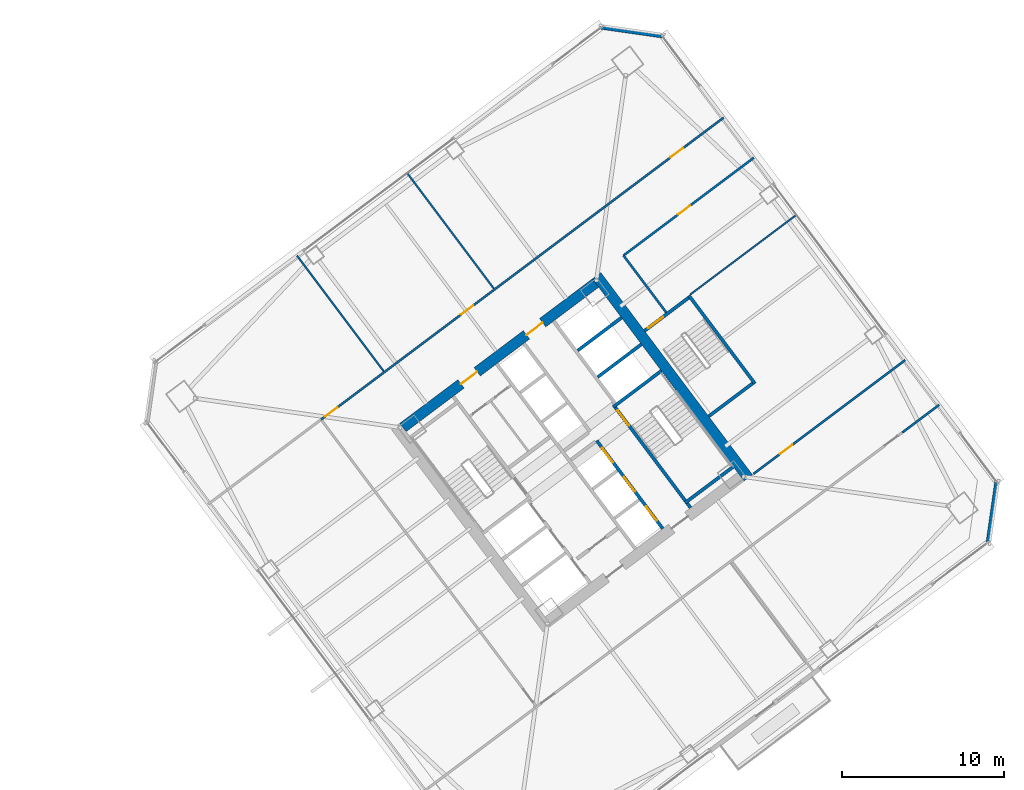
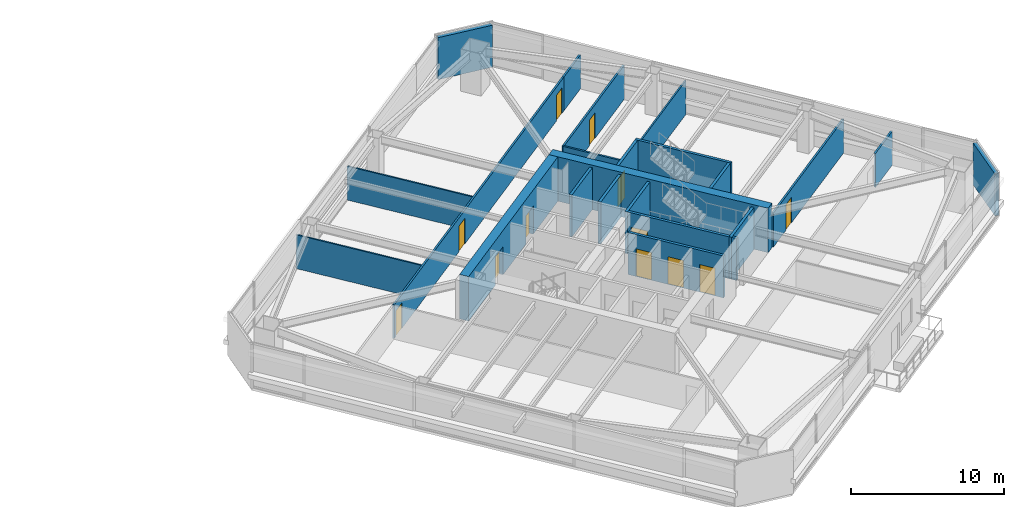
# One storey, part 39 of 47: 22 walls, 12 doors, 12 openings.
"""IFC4 building model written with IfcOpenShell, lengths in metres."""

from ifc_helpers import new_model, si_unit, direction, frame, frame_2d, origin, place, context, subcontext, project, spatial, rectangle, extrude, material, layer, layer_set, type_object, element, fill, save


model = new_model("IFC4")

# Units and contexts
model_context = context("Model", 3, precision=1e-05, world=origin(), true_north=direction((0.0, 1.0)))
body_context = subcontext(model_context, "Body", "Model", "MODEL_VIEW")
ifc_project = project(units=[si_unit("LENGTHUNIT", "METRE"), si_unit("AREAUNIT", "SQUARE_METRE"), si_unit("VOLUMEUNIT", "CUBIC_METRE"), si_unit("PLANEANGLEUNIT", "RADIAN"), si_unit("MASSUNIT", "GRAM", prefix="KILO")], contexts=[model_context])

# Site, building, storey
site_placement = place(None, origin())
site = spatial("IfcSite", under=ifc_project, at=site_placement, CompositionType="ELEMENT")
building_placement = place(site_placement, origin())
building = spatial("IfcBuilding", under=site, at=building_placement, Name="Tashvorn Skyway Center", CompositionType="ELEMENT")
storey_placement = place(building_placement, frame((0.0, 0.0, 81.39990234375)))
storey = spatial("IfcBuildingStorey", under=building, at=storey_placement, Name="L21", CompositionType="ELEMENT", Elevation=81.39990234375)

# Wall
ifc_material_1 = material(Name="Concrete C60/75", Category="concrete")
ifc_layer_1 = layer(ifc_material_1, 0.64990234375)
ifc_layer_set_1 = layer_set([ifc_layer_1], Name="Concrete C60/75")
wall_type_1 = type_object("IfcWallType", Name="WALL-CORE-650", PredefinedType="SHEAR", material=ifc_layer_set_1)
wall_1_placement = place(storey_placement, frame((115.52392578125, 42.89306640625, 0.0), z_axis=(0.0, 0.0, 1.0), x_axis=(0.600005007985, -0.799996243986, 0.0)))
element("IfcWall", 1, at=wall_1_placement, inside=storey, type_object=wall_type_1, Name="Tower 2 L21 East Core Shear Wall", PredefinedType="SHEAR", context=body_context, shape_type="SweptSolid", body=[
    extrude(rectangle(XDim=15.60009765625, YDim=0.64990234375, at=frame_2d((7.800048828125, 0.0))), origin(), (0.0, 0.0, 1.0), 3.550048828125),
])

# Wall, openings, doors
wall_2_placement = place(storey_placement, frame((103.571044921875, 33.52197265625, 0.0), z_axis=(0.0, 0.0, 1.0), x_axis=(0.799998028465, 0.600002628705, 0.0)))
wall_2 = element("IfcWall", 2, at=wall_2_placement, inside=storey, type_object=wall_type_1, Name="Tower 2 L21 North Core Shear Wall", PredefinedType="SHEAR", context=body_context, shape_type="SweptSolid", body=[
    extrude(rectangle(XDim=14.85986328125, YDim=0.64990234375, at=frame_2d((7.429931640625, 0.0))), origin(), (0.0, 0.0, 1.0), 3.550048828125),
])
opening_1_placement = place(wall_2_placement, frame((4.47998046875, 0.0, 0.0)))
opening_1 = element("IfcOpeningElement", 3, at=opening_1_placement, cuts=wall_2, Name="Opening D-FFL-1250", PredefinedType="OPENING", context=body_context, shape_type="SweptSolid", body=[
    extrude(rectangle(XDim=1.25, YDim=2.25, at=frame_2d((0.625, 1.125))), frame((0.0, 0.3349609375, 0.0), z_axis=(0.0, -1.0, 0.0), x_axis=(1.0, 0.0, 0.0)), (0.0, 0.0, 1.0), 0.669921875),
])
opening_2_placement = place(wall_2_placement, frame((9.530029296875, 0.0, 0.0)))
opening_2 = element("IfcOpeningElement", 4, at=opening_2_placement, cuts=wall_2, Name="Opening D-FFL-1250", PredefinedType="OPENING", context=body_context, shape_type="SweptSolid", body=[
    extrude(rectangle(XDim=1.25, YDim=2.25, at=frame_2d((0.625, 1.125))), frame((0.0, 0.3349609375, 0.0), z_axis=(0.0, -1.0, 0.0), x_axis=(1.0, 0.0, 0.0)), (0.0, 0.0, 1.0), 0.669921875),
])
ifc_material_2 = material(Name="Hollow galvanized steel fire door assembly", Category="steel")
door_type_1 = type_object("IfcDoorType", Name="DOOR-FFL-1250", OperationType="NOTDEFINED", PredefinedType="DOOR", material=ifc_material_2)
door_1_placement = place(opening_1_placement, origin())
door_1 = element("IfcDoor", 5, at=door_1_placement, inside=storey, type_object=door_type_1, Name="Tower 2 L21 Core North Service Lobby Door", OperationType="SINGLE_SWING_LEFT", OverallHeight=2.25, OverallWidth=1.25, PredefinedType="DOOR", context=body_context, shape_type="SweptSolid", body=[
    extrude(rectangle(XDim=1.25, YDim=2.25, at=frame_2d((0.625, 1.125))), frame((0.0, 0.02490234375, 0.0), z_axis=(0.0, -1.0, 0.0), x_axis=(1.0, 0.0, 0.0)), (0.0, 0.0, 1.0), 0.050048828125),
])
fill(opening_1, door_1)
door_2_placement = place(opening_2_placement, origin())
door_2 = element("IfcDoor", 6, at=door_2_placement, inside=storey, type_object=door_type_1, Name="Tower 2 L21 Core North Lift Lobby Door", OperationType="SINGLE_SWING_RIGHT", OverallHeight=2.25, OverallWidth=1.25, PredefinedType="DOOR", context=body_context, shape_type="SweptSolid", body=[
    extrude(rectangle(XDim=1.25, YDim=2.25, at=frame_2d((0.625, 1.125))), frame((0.0, 0.02490234375, 0.0), z_axis=(0.0, -1.0, 0.0), x_axis=(1.0, 0.0, 0.0)), (0.0, 0.0, 1.0), 0.050048828125),
])
fill(opening_2, door_2)

# Walls
ifc_material_3 = material(Name="Precast concrete C40/50", Category="concrete")
ifc_layer_2 = layer(ifc_material_3, 0.280029296875)
ifc_layer_set_2 = layer_set([ifc_layer_2], Name="Precast concrete C40/50")
wall_type_2 = type_object("IfcWallType", Name="WALL-EXT-280", PredefinedType="SOLIDWALL", material=ifc_layer_set_2)
for number, where, z_axis, x_axis, name in (
    (7, (115.820068359375, 58.239990234375, 0.0), (0.0, 0.0, 1.0), (0.989948214866, -0.141430307517, 0.0), "Tower 2 L21 NE Precast Chamfer Wall"),
    (8, (140.239990234375, 30.179931640625, 0.0), (0.0, 0.0, 1.0), (-0.141430307517, -0.989948214866, 0.0), "Tower 2 L21 SE Precast Chamfer Wall"),
):
    element("IfcWall", number, at=place(storey_placement, frame(where, z_axis=z_axis, x_axis=x_axis)), inside=storey, type_object=wall_type_2, Name=name, PredefinedType="SOLIDWALL", context=body_context, shape_type="SweptSolid", body=[
        extrude(rectangle(XDim=3.818359375, YDim=0.280029296875, at=frame_2d((1.9091796875, 0.0))), origin(), (0.0, 0.0, 1.0), 3.35009765625),
    ])
ifc_material_4 = material(Name="Gypsum board on cold-formed steel stud framing", Category="steel")
ifc_layer_3 = layer(ifc_material_4, 0.110107421875)
ifc_layer_set_3 = layer_set([ifc_layer_3], Name="Gypsum board on cold-formed steel stud framing")
wall_type_3 = type_object("IfcWallType", Name="WALL-PART-110", PredefinedType="PARTITIONING", material=ifc_layer_set_3)
for number, where, z_axis, x_axis, name in (
    (9, (102.3720703125, 37.00390625, 0.0), (0.0, 0.0, 1.0), (-0.6, 0.8, 0.0), "Tower 2 L21 North Suite Partition 1"),
    (10, (109.172119140625, 42.10400390625, 0.0), (0.0, 0.0, 1.0), (-0.6, 0.8, 0.0), "Tower 2 L21 North Suite Partition 2"),
):
    element("IfcWall", number, at=place(storey_placement, frame(where, z_axis=z_axis, x_axis=x_axis)), inside=storey, type_object=wall_type_3, Name=name, PredefinedType="PARTITIONING", context=body_context, shape_type="SweptSolid", body=[
        extrude(rectangle(XDim=8.900146484375, YDim=0.110107421875, at=frame_2d((4.4501953125, 0.0))), origin(), (0.0, 0.0, 1.0), 2.703125),
    ])
wall_3_placement = place(storey_placement, frame((127.864013671875, 46.64794921875, 0.0), z_axis=(0.0, 0.0, 1.0), x_axis=(-0.800007145523, -0.599990472518, 0.0)))
element("IfcWall", 11, at=wall_3_placement, inside=storey, type_object=wall_type_3, Name="Tower 2 L21 East Suite Partition 1", PredefinedType="PARTITIONING", context=body_context, shape_type="SweptSolid", body=[
    extrude(rectangle(XDim=8.199951171875, YDim=0.110107421875, at=frame_2d((4.10009765625, 0.0))), origin(), (0.0, 0.0, 1.0), 2.703125),
])
ifc_layer_4 = layer(ifc_material_4, 0.135009765625)
ifc_layer_set_4 = layer_set([ifc_layer_4], Name="Gypsum board on cold-formed steel stud framing")
wall_type_4 = type_object("IfcWallType", Name="WALL-PART-135", PredefinedType="PARTITIONING", material=ifc_layer_set_4)
wall_4_placement = place(storey_placement, frame((119.823974609375, 40.617919921875, 0.0), z_axis=(0.0, 0.0, 1.0), x_axis=(-0.599982243973, 0.800013316712, 0.0)))
element("IfcWall", 12, at=wall_4_placement, inside=storey, type_object=wall_type_4, Name="Tower 2 L21 Stair 3 Access Corridor Wall", PredefinedType="PARTITIONING", context=body_context, shape_type="SweptSolid", body=[
    extrude(rectangle(XDim=4.39990234375, YDim=0.135009765625, at=frame_2d((2.199951171875, 0.0))), origin(), (0.0, 0.0, 1.0), 2.703125),
])

# Wall, openings, doors
wall_5_placement = place(storey_placement, frame((98.51611328125, 34.011962890625, 0.0), z_axis=(0.0, 0.0, 1.0), x_axis=(0.8, 0.6, 0.0)))
wall_5 = element("IfcWall", 13, at=wall_5_placement, inside=storey, type_object=wall_type_4, Name="Tower 2 L21 North Suite Wall", PredefinedType="PARTITIONING", context=body_context, shape_type="SweptSolid", body=[
    extrude(rectangle(XDim=28.22998046875, YDim=0.135009765625, at=frame_2d((14.114990234375, 0.0))), origin(), (0.0, 0.0, 1.0), 2.703125),
])
opening_3_placement = place(wall_5_placement, frame((0.300048828125, 0.0, 0.0)))
opening_3 = element("IfcOpeningElement", 14, at=opening_3_placement, cuts=wall_5, Name="Opening D-INT-950", PredefinedType="OPENING", context=body_context, shape_type="SweptSolid", body=[
    extrude(rectangle(XDim=0.949951171875, YDim=2.050048828125, at=frame_2d((0.47509765625, 1.02490234375))), frame((0.0, 0.077392578125, 0.0), z_axis=(0.0, -1.0, 0.0), x_axis=(1.0, 0.0, 0.0)), (0.0, 0.0, 1.0), 0.155029296875),
])
opening_4_placement = place(wall_5_placement, frame((10.79248046875, 0.0, 0.0)))
opening_4 = element("IfcOpeningElement", 15, at=opening_4_placement, cuts=wall_5, Name="Opening D-INT-950", PredefinedType="OPENING", context=body_context, shape_type="SweptSolid", body=[
    extrude(rectangle(XDim=0.949951171875, YDim=2.050048828125, at=frame_2d((0.47509765625, 1.02490234375))), frame((0.0, 0.077392578125, 0.0), z_axis=(0.0, -1.0, 0.0), x_axis=(1.0, 0.0, 0.0)), (0.0, 0.0, 1.0), 0.155029296875),
])
opening_5_placement = place(wall_5_placement, frame((26.97998046875, 0.0, 0.0)))
opening_5 = element("IfcOpeningElement", 16, at=opening_5_placement, cuts=wall_5, Name="Opening D-INT-950", PredefinedType="OPENING", context=body_context, shape_type="SweptSolid", body=[
    extrude(rectangle(XDim=0.949951171875, YDim=2.050048828125, at=frame_2d((0.47509765625, 1.02490234375))), frame((0.0, 0.077392578125, 0.0), z_axis=(0.0, -1.0, 0.0), x_axis=(1.0, 0.0, 0.0)), (0.0, 0.0, 1.0), 0.155029296875),
])
ifc_material_5 = material(Name="Solid-core architectural oak veneer door")
door_type_2 = type_object("IfcDoorType", Name="DOOR-INT-950", OperationType="NOTDEFINED", PredefinedType="DOOR", material=ifc_material_5)
door_3_placement = place(opening_3_placement, origin())
door_3 = element("IfcDoor", 17, at=door_3_placement, inside=storey, type_object=door_type_2, Name="Tower 2 L21 Executive Study Lounge Door", OperationType="SINGLE_SWING_LEFT", OverallHeight=2.050048828125, OverallWidth=0.949951171875, PredefinedType="DOOR", context=body_context, shape_type="SweptSolid", body=[
    extrude(rectangle(XDim=0.949951171875, YDim=2.050048828125, at=frame_2d((0.47509765625, 1.02490234375))), frame((0.0, 0.02490234375, 0.0), z_axis=(0.0, -1.0, 0.0), x_axis=(1.0, 0.0, 0.0)), (0.0, 0.0, 1.0), 0.050048828125),
])
fill(opening_3, door_3)
door_4_placement = place(opening_4_placement, origin())
door_4 = element("IfcDoor", 18, at=door_4_placement, inside=storey, type_object=door_type_2, Name="Tower 2 L21 Executive Study Lounge Door", OperationType="SINGLE_SWING_RIGHT", OverallHeight=2.050048828125, OverallWidth=0.949951171875, PredefinedType="DOOR", context=body_context, shape_type="SweptSolid", body=[
    extrude(rectangle(XDim=0.949951171875, YDim=2.050048828125, at=frame_2d((0.47509765625, 1.02490234375))), frame((0.0, 0.02490234375, 0.0), z_axis=(0.0, -1.0, 0.0), x_axis=(1.0, 0.0, 0.0)), (0.0, 0.0, 1.0), 0.050048828125),
])
fill(opening_4, door_4)
door_5_placement = place(opening_5_placement, origin())
door_5 = element("IfcDoor", 19, at=door_5_placement, inside=storey, type_object=door_type_2, Name="Tower 2 L21 Reading Lounge Door", OperationType="SINGLE_SWING_LEFT", OverallHeight=2.050048828125, OverallWidth=0.949951171875, PredefinedType="DOOR", context=body_context, shape_type="SweptSolid", body=[
    extrude(rectangle(XDim=0.949951171875, YDim=2.050048828125, at=frame_2d((0.47509765625, 1.02490234375))), frame((0.0, 0.02490234375, 0.0), z_axis=(0.0, -1.0, 0.0), x_axis=(1.0, 0.0, 0.0)), (0.0, 0.0, 1.0), 0.050048828125),
])
fill(opening_5, door_5)

# Walls
for number, where, z_axis, x_axis, name in (
    (20, (121.10009765625, 50.949951171875, 0.0), (0.0, 0.0, 1.0), (0.799989647378, 0.600013803248, 0.0), "Tower 2 L21 North-East Suite South Wall"),
    (21, (134.402099609375, 33.214111328125, 0.0), (0.0, 0.0, 1.0), (0.799989647378, 0.600013803248, 0.0), "Tower 2 L21 South-East Suite North Wall"),
):
    element("IfcWall", number, at=place(storey_placement, frame(where, z_axis=z_axis, x_axis=x_axis)), inside=storey, type_object=wall_type_4, Name=name, PredefinedType="PARTITIONING", context=body_context, shape_type="SweptSolid", body=[
        extrude(rectangle(XDim=2.829833984375, YDim=0.135009765625, at=frame_2d((1.4150390625, 0.0))), origin(), (0.0, 0.0, 1.0), 2.703125),
    ])

# Wall, opening, door
wall_6_placement = place(storey_placement, frame((125.22412109375, 50.16796875, 0.0), z_axis=(0.0, 0.0, 1.0), x_axis=(-0.8, -0.6, 0.0)))
wall_6 = element("IfcWall", 22, at=wall_6_placement, inside=storey, type_object=wall_type_4, Name="Tower 2 L21 East Suite North Wall", PredefinedType="PARTITIONING", context=body_context, shape_type="SweptSolid", body=[
    extrude(rectangle(XDim=10.050048828125, YDim=0.135009765625, at=frame_2d((5.02490234375, 0.0))), origin(), (0.0, 0.0, 1.0), 2.703125),
])
opening_6_placement = place(wall_6_placement, frame((4.89990234375, 0.0, 0.0)))
opening_6 = element("IfcOpeningElement", 23, at=opening_6_placement, cuts=wall_6, Name="Opening D-INT-950", PredefinedType="OPENING", context=body_context, shape_type="SweptSolid", body=[
    extrude(rectangle(XDim=0.949951171875, YDim=2.050048828125, at=frame_2d((0.47509765625, 1.02490234375))), frame((0.0, 0.077392578125, 0.0), z_axis=(0.0, -1.0, 0.0), x_axis=(1.0, 0.0, 0.0)), (0.0, 0.0, 1.0), 0.155029296875),
])
door_6_placement = place(opening_6_placement, origin())
door_6 = element("IfcDoor", 24, at=door_6_placement, inside=storey, type_object=door_type_2, Name="Tower 2 L21 Open Plan Office Door", OperationType="SINGLE_SWING_RIGHT", OverallHeight=2.050048828125, OverallWidth=0.949951171875, PredefinedType="DOOR", context=body_context, shape_type="SweptSolid", body=[
    extrude(rectangle(XDim=0.949951171875, YDim=2.050048828125, at=frame_2d((0.47509765625, 1.02490234375))), frame((0.0, 0.02490234375, 0.0), z_axis=(0.0, -1.0, 0.0), x_axis=(1.0, 0.0, 0.0)), (0.0, 0.0, 1.0), 0.050048828125),
])
fill(opening_6, door_6)

wall_7_placement = place(storey_placement, frame((125.2080078125, 30.656005859375, 0.0), z_axis=(0.0, 0.0, 1.0), x_axis=(0.8, 0.6, 0.0)))
wall_7 = element("IfcWall", 25, at=wall_7_placement, inside=storey, type_object=wall_type_4, Name="Tower 2 L21 East Suite South Wall", PredefinedType="PARTITIONING", context=body_context, shape_type="SweptSolid", body=[
    extrude(rectangle(XDim=11.719970703125, YDim=0.135009765625, at=frame_2d((5.85986328125, 0.0))), origin(), (0.0, 0.0, 1.0), 2.703125),
])
opening_7_placement = place(wall_7_placement, frame((2.044921875, 0.0, 0.0)))
opening_7 = element("IfcOpeningElement", 26, at=opening_7_placement, cuts=wall_7, Name="Opening D-INT-950", PredefinedType="OPENING", context=body_context, shape_type="SweptSolid", body=[
    extrude(rectangle(XDim=0.949951171875, YDim=2.050048828125, at=frame_2d((0.47509765625, 1.02490234375))), frame((0.0, 0.077392578125, 0.0), z_axis=(0.0, -1.0, 0.0), x_axis=(1.0, 0.0, 0.0)), (0.0, 0.0, 1.0), 0.155029296875),
])
door_7_placement = place(opening_7_placement, origin())
door_7 = element("IfcDoor", 27, at=door_7_placement, inside=storey, type_object=door_type_2, Name="Tower 2 L21 Public Restroom Door", OperationType="SINGLE_SWING_LEFT", OverallHeight=2.050048828125, OverallWidth=0.949951171875, PredefinedType="DOOR", context=body_context, shape_type="SweptSolid", body=[
    extrude(rectangle(XDim=0.949951171875, YDim=2.050048828125, at=frame_2d((0.47509765625, 1.02490234375))), frame((0.0, 0.02490234375, 0.0), z_axis=(0.0, -1.0, 0.0), x_axis=(1.0, 0.0, 0.0)), (0.0, 0.0, 1.0), 0.050048828125),
])
fill(opening_7, door_7)

# Walls
ifc_material_6 = material(Name="Concrete C40/50", Category="concrete")
ifc_layer_5 = layer(ifc_material_6, 0.199951171875)
ifc_layer_set_5 = layer_set([ifc_layer_5], Name="Concrete C40/50")
wall_type_5 = type_object("IfcWallType", Name="WALL-SHAFT-200", PredefinedType="SOLIDWALL", material=ifc_layer_set_5)
for number, where, z_axis, x_axis, name in (
    (28, (115.590087890625, 36.6298828125, 0.0), (0.0, 0.0, 1.0), (0.799973995579, 0.600034670996, 0.0), "Tower 2 L21 High-Rise Shaft Divider"),
    (29, (114.360107421875, 38.27001953125, 0.0), (0.0, 0.0, 1.0), (0.799973995579, 0.600034670996, 0.0), "Tower 2 L21 High-Rise Shaft Divider"),
):
    element("IfcWall", number, at=place(storey_placement, frame(where, z_axis=z_axis, x_axis=x_axis)), inside=storey, type_object=wall_type_5, Name=name, PredefinedType="SOLIDWALL", context=body_context, shape_type="SweptSolid", body=[
        extrude(rectangle(XDim=3.3798828125, YDim=0.199951171875, at=frame_2d((1.68994140625, 0.0))), origin(), (0.0, 0.0, 1.0), 3.35009765625),
    ])

# Wall, openings, doors
wall_8_placement = place(storey_placement, frame((119.610107421875, 27.27001953125, 0.0), z_axis=(0.0, 0.0, 1.0), x_axis=(-0.600011488909, 0.79999138319, 0.0)))
wall_8 = element("IfcWall", 30, at=wall_8_placement, inside=storey, type_object=wall_type_5, Name="Tower 2 L21 Low-Rise Core Wall", PredefinedType="SOLIDWALL", context=body_context, shape_type="SweptSolid", body=[
    extrude(rectangle(XDim=6.800048828125, YDim=0.199951171875, at=frame_2d((3.39990234375, 0.0))), origin(), (0.0, 0.0, 1.0), 3.35009765625),
])
opening_8_placement = place(wall_8_placement, frame((0.625, 0.0, 0.0)))
opening_8 = element("IfcOpeningElement", 31, at=opening_8_placement, cuts=wall_8, Name="Opening LD-LR-T2-1-L21", PredefinedType="OPENING", context=body_context, shape_type="SweptSolid", body=[
    extrude(rectangle(XDim=1.10009765625, YDim=2.199951171875, at=frame_2d((0.550048828125, 1.10009765625))), frame((0.0, 0.10986328125, 0.0), z_axis=(0.0, -1.0, 0.0), x_axis=(1.0, 0.0, 0.0)), (0.0, 0.0, 1.0), 0.219970703125),
])
opening_9_placement = place(wall_8_placement, frame((2.875, 0.0, 0.0)))
opening_9 = element("IfcOpeningElement", 32, at=opening_9_placement, cuts=wall_8, Name="Opening LD-LR-T2-2-L21", PredefinedType="OPENING", context=body_context, shape_type="SweptSolid", body=[
    extrude(rectangle(XDim=1.10009765625, YDim=2.199951171875, at=frame_2d((0.550048828125, 1.10009765625))), frame((0.0, 0.10986328125, 0.0), z_axis=(0.0, -1.0, 0.0), x_axis=(1.0, 0.0, 0.0)), (0.0, 0.0, 1.0), 0.219970703125),
])
opening_10_placement = place(wall_8_placement, frame((5.125, 0.0, 0.0)))
opening_10 = element("IfcOpeningElement", 33, at=opening_10_placement, cuts=wall_8, Name="Opening LD-LR-T2-3-L21", PredefinedType="OPENING", context=body_context, shape_type="SweptSolid", body=[
    extrude(rectangle(XDim=1.10009765625, YDim=2.199951171875, at=frame_2d((0.550048828125, 1.10009765625))), frame((0.0, 0.10986328125, 0.0), z_axis=(0.0, -1.0, 0.0), x_axis=(1.0, 0.0, 0.0)), (0.0, 0.0, 1.0), 0.219970703125),
])
ifc_material_7 = material(Name="Stainless steel landing door", Category="steel")
door_type_3 = type_object("IfcDoorType", Name="DOOR-LIFT-1100", OperationType="SLIDING_TO_LEFT", PredefinedType="DOOR", material=ifc_material_7)
door_8_placement = place(opening_8_placement, origin())
door_8 = element("IfcDoor", 34, at=door_8_placement, inside=storey, type_object=door_type_3, Name="Lift LR-T2-1 L21 Landing Door", OperationType="SLIDING_TO_LEFT", OverallHeight=2.199951171875, OverallWidth=1.10009765625, PredefinedType="DOOR", context=body_context, shape_type="SweptSolid", body=[
    extrude(rectangle(XDim=1.10009765625, YDim=2.199951171875, at=frame_2d((0.550048828125, 1.10009765625))), frame((0.0, 0.02490234375, 0.0), z_axis=(0.0, -1.0, 0.0), x_axis=(1.0, 0.0, 0.0)), (0.0, 0.0, 1.0), 0.050048828125),
])
fill(opening_8, door_8)
door_9_placement = place(opening_9_placement, origin())
door_9 = element("IfcDoor", 35, at=door_9_placement, inside=storey, type_object=door_type_3, Name="Lift LR-T2-2 L21 Landing Door", OperationType="SLIDING_TO_LEFT", OverallHeight=2.199951171875, OverallWidth=1.10009765625, PredefinedType="DOOR", context=body_context, shape_type="SweptSolid", body=[
    extrude(rectangle(XDim=1.10009765625, YDim=2.199951171875, at=frame_2d((0.550048828125, 1.10009765625))), frame((0.0, 0.02490234375, 0.0), z_axis=(0.0, -1.0, 0.0), x_axis=(1.0, 0.0, 0.0)), (0.0, 0.0, 1.0), 0.050048828125),
])
fill(opening_9, door_9)
door_10_placement = place(opening_10_placement, origin())
door_10 = element("IfcDoor", 36, at=door_10_placement, inside=storey, type_object=door_type_3, Name="Lift LR-T2-3 L21 Landing Door", OperationType="SLIDING_TO_LEFT", OverallHeight=2.199951171875, OverallWidth=1.10009765625, PredefinedType="DOOR", context=body_context, shape_type="SweptSolid", body=[
    extrude(rectangle(XDim=1.10009765625, YDim=2.199951171875, at=frame_2d((0.550048828125, 1.10009765625))), frame((0.0, 0.02490234375, 0.0), z_axis=(0.0, -1.0, 0.0), x_axis=(1.0, 0.0, 0.0)), (0.0, 0.0, 1.0), 0.050048828125),
])
fill(opening_10, door_10)

# Wall, opening, door
ifc_layer_6 = layer(ifc_material_6, 0.199951171875)
ifc_layer_set_6 = layer_set([ifc_layer_6], Name="Concrete C40/50")
wall_type_6 = type_object("IfcWallType", Name="WALL-STSHF-200", PredefinedType="SHEAR", material=ifc_layer_set_6)
wall_9_placement = place(storey_placement, frame((116.56005859375, 34.919921875, 0.0), z_axis=(0.0, 0.0, 1.0), x_axis=(0.600009827119, -0.799992629566, 0.0)))
wall_9 = element("IfcWall", 37, at=wall_9_placement, inside=storey, type_object=wall_type_6, Name="Tower 2 L21 Stair 2 Enclosure Wall", PredefinedType="SHEAR", context=body_context, shape_type="SweptSolid", body=[
    extrude(rectangle(XDim=7.949951171875, YDim=0.199951171875, at=frame_2d((3.97509765625, 0.0))), origin(), (0.0, 0.0, 1.0), 3.35009765625),
])
opening_11_placement = place(wall_9_placement, frame((0.449951171875, 0.0, 0.0)))
opening_11 = element("IfcOpeningElement", 38, at=opening_11_placement, cuts=wall_9, Name="Opening D-ST-1150", PredefinedType="OPENING", context=body_context, shape_type="SweptSolid", body=[
    extrude(rectangle(XDim=1.14990234375, YDim=2.199951171875, at=frame_2d((0.574951171875, 1.10009765625))), frame((0.0, 0.10986328125, 0.0), z_axis=(0.0, -1.0, 0.0), x_axis=(1.0, 0.0, 0.0)), (0.0, 0.0, 1.0), 0.219970703125),
])
door_type_4 = type_object("IfcDoorType", Name="DOOR-STAIR-1150", OperationType="NOTDEFINED", PredefinedType="DOOR", material=ifc_material_2)
door_11_placement = place(opening_11_placement, origin())
door_11 = element("IfcDoor", 39, at=door_11_placement, inside=storey, type_object=door_type_4, Name="Tower 2 L21 Exit Stair 2 Door", OperationType="SINGLE_SWING_RIGHT", OverallHeight=2.199951171875, OverallWidth=1.14990234375, PredefinedType="DOOR", context=body_context, shape_type="SweptSolid", body=[
    extrude(rectangle(XDim=1.14990234375, YDim=2.199951171875, at=frame_2d((0.574951171875, 1.10009765625))), frame((0.0, 0.02490234375, 0.0), z_axis=(0.0, -1.0, 0.0), x_axis=(1.0, 0.0, 0.0)), (0.0, 0.0, 1.0), 0.050048828125),
])
fill(opening_11, door_11)

# Walls
for number, where, z_axis, x_axis, name in (
    (40, (116.5400390625, 34.780029296875, 0.0), (0.0, 0.0, 1.0), (0.799984290658, 0.600020945218, 0.0), "Tower 2 L21 Stair 2 North Wall"),
    (41, (120.97998046875, 28.860107421875, 0.0), (0.0, 0.0, 1.0), (0.800039270442, 0.59994763584, 0.0), "Tower 2 L21 Stair 2 South Wall"),
):
    element("IfcWall", number, at=place(storey_placement, frame(where, z_axis=z_axis, x_axis=x_axis)), inside=storey, type_object=wall_type_6, Name=name, PredefinedType="SHEAR", context=body_context, shape_type="SweptSolid", body=[
        extrude(rectangle(XDim=3.72998046875, YDim=0.199951171875, at=frame_2d((1.864990234375, 0.0))), origin(), (0.0, 0.0, 1.0), 3.35009765625),
    ])
wall_10_placement = place(storey_placement, frame((125.303955078125, 36.22802734375, 0.0), z_axis=(0.0, 0.0, 1.0), x_axis=(-0.59998851072, 0.800008616831, 0.0)))
element("IfcWall", 42, at=wall_10_placement, inside=storey, type_object=wall_type_6, Name="Tower 2 L21 Stair 3 Outer Wall", PredefinedType="SHEAR", context=body_context, shape_type="SweptSolid", body=[
    extrude(rectangle(XDim=6.7998046875, YDim=0.199951171875, at=frame_2d((3.39990234375, 0.0))), origin(), (0.0, 0.0, 1.0), 3.35009765625),
])

# Wall, opening, door
wall_11_placement = place(storey_placement, frame((121.2041015625, 41.528076171875, 0.0), z_axis=(0.0, 0.0, 1.0), x_axis=(-0.800017232136, -0.599977023131, 0.0)))
wall_11 = element("IfcWall", 43, at=wall_11_placement, inside=storey, type_object=wall_type_6, Name="Tower 2 L21 Stair 3 Enclosure Wall", PredefinedType="SHEAR", context=body_context, shape_type="SweptSolid", body=[
    extrude(rectangle(XDim=3.400146484375, YDim=0.199951171875, at=frame_2d((1.7001953125, 0.0))), origin(), (0.0, 0.0, 1.0), 3.35009765625),
])
opening_12_placement = place(wall_11_placement, frame((1.97509765625, 0.0, 0.0)))
opening_12 = element("IfcOpeningElement", 44, at=opening_12_placement, cuts=wall_11, Name="Opening D-ST-1150", PredefinedType="OPENING", context=body_context, shape_type="SweptSolid", body=[
    extrude(rectangle(XDim=1.14990234375, YDim=2.199951171875, at=frame_2d((0.574951171875, 1.10009765625))), frame((0.0, 0.10986328125, 0.0), z_axis=(0.0, -1.0, 0.0), x_axis=(1.0, 0.0, 0.0)), (0.0, 0.0, 1.0), 0.219970703125),
])
door_12_placement = place(opening_12_placement, origin())
door_12 = element("IfcDoor", 45, at=door_12_placement, inside=storey, type_object=door_type_4, Name="Tower 2 L21 Exit Stair 3 Door", OperationType="SINGLE_SWING_RIGHT", OverallHeight=2.199951171875, OverallWidth=1.14990234375, PredefinedType="DOOR", context=body_context, shape_type="SweptSolid", body=[
    extrude(rectangle(XDim=1.14990234375, YDim=2.199951171875, at=frame_2d((0.574951171875, 1.10009765625))), frame((0.0, 0.02490234375, 0.0), z_axis=(0.0, -1.0, 0.0), x_axis=(1.0, 0.0, 0.0)), (0.0, 0.0, 1.0), 0.050048828125),
])
fill(opening_12, door_12)

# Wall
wall_12_placement = place(storey_placement, frame((122.444091796875, 34.2080078125, 0.0), z_axis=(0.0, 0.0, 1.0), x_axis=(0.79999138319, 0.600011488909, 0.0)))
element("IfcWall", 46, at=wall_12_placement, inside=storey, type_object=wall_type_6, Name="Tower 2 L21 Stair 3 South Wall", PredefinedType="SHEAR", context=body_context, shape_type="SweptSolid", body=[
    extrude(rectangle(XDim=3.39990234375, YDim=0.199951171875, at=frame_2d((1.699951171875, 0.0))), origin(), (0.0, 0.0, 1.0), 3.35009765625),
])

save(model, "model.ifc")
